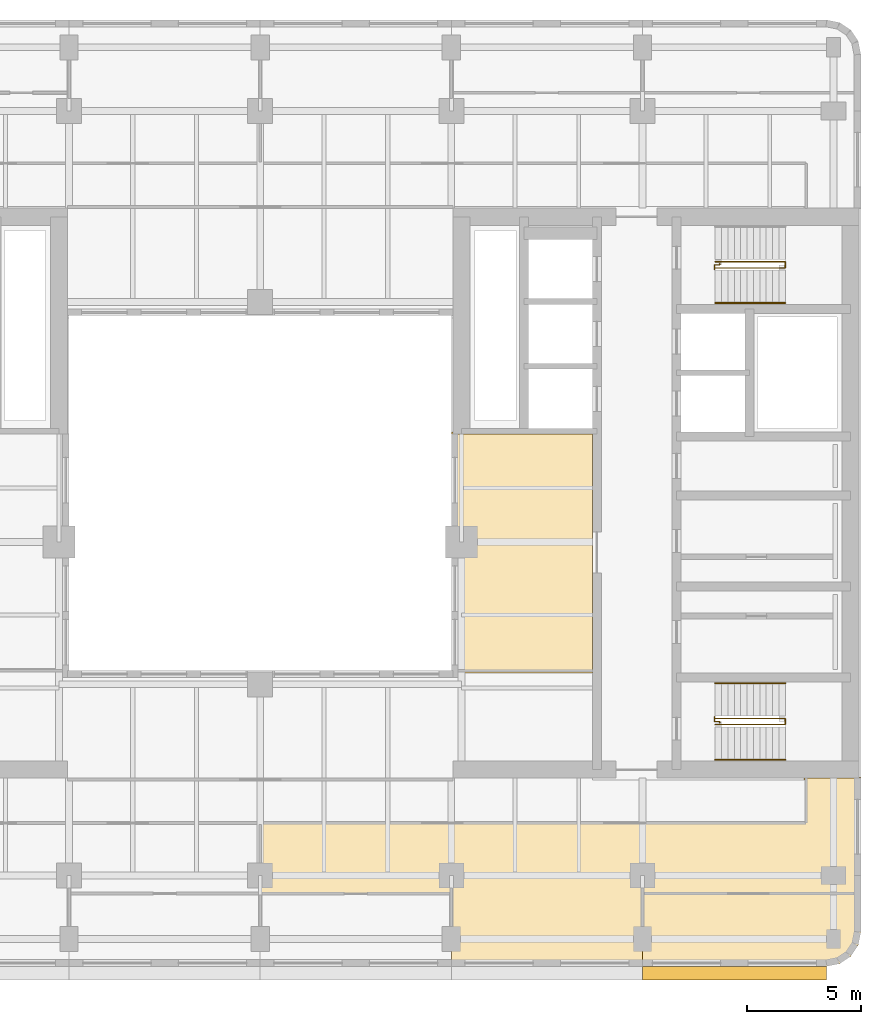
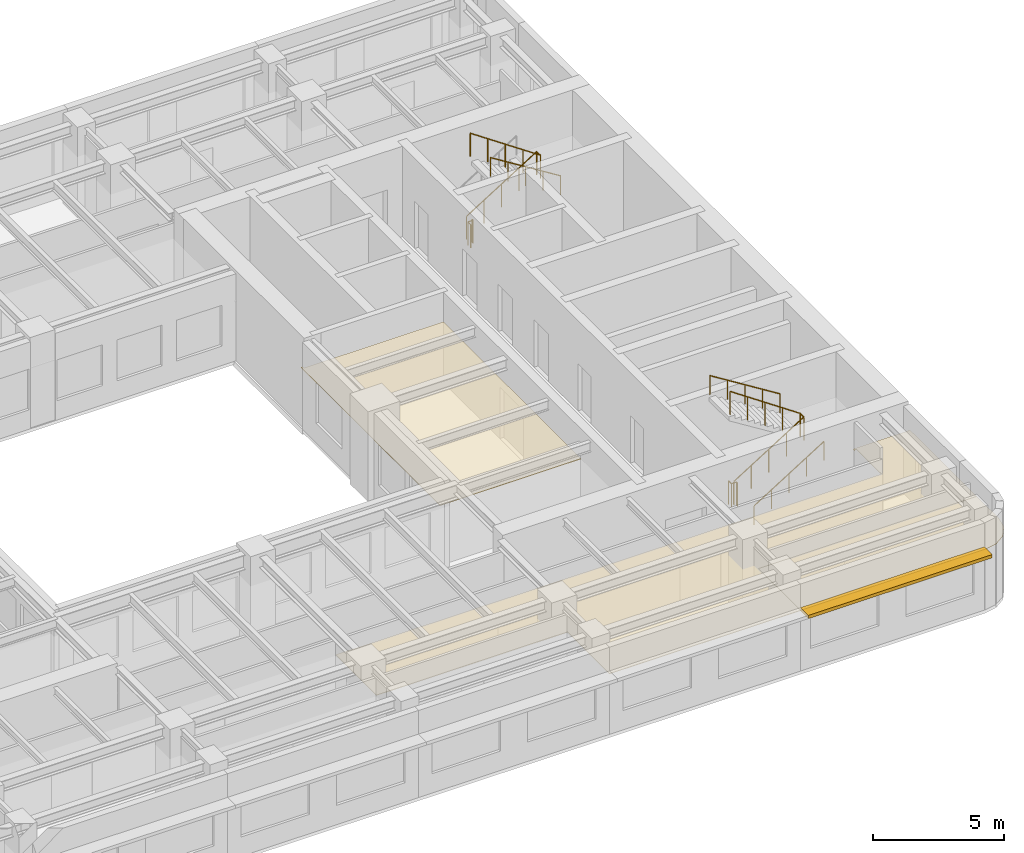
# One storey, part 10 of 11: 7 railings, 3 coverings, 1 shading device.
"""IFC4 building model written with IfcOpenShell, lengths in metres."""

from ifc_helpers import new_model, si_unit, direction, frame, origin, origin_2d, place, context, subcontext, project, spatial, polyline, rectangle, circle, outline, extrude, material, layer, layer_set, type_object, element, save


model = new_model("IFC4")

# Units and contexts
model_context = context("Model", 3, precision=1e-05, world=origin(), true_north=direction((0.0, 1.0)))
body_context = subcontext(model_context, "Body", "Model", "MODEL_VIEW")
ifc_project = project(units=[si_unit("LENGTHUNIT", "METRE"), si_unit("AREAUNIT", "SQUARE_METRE"), si_unit("VOLUMEUNIT", "CUBIC_METRE"), si_unit("PLANEANGLEUNIT", "RADIAN"), si_unit("MASSUNIT", "GRAM", prefix="KILO")], contexts=[model_context])

# Site, building, storey
site_placement = place(None, origin())
site = spatial("IfcSite", under=ifc_project, at=site_placement, CompositionType="ELEMENT")
building_placement = place(site_placement, origin())
building = spatial("IfcBuilding", under=site, at=building_placement, Name="Claustro Exchange Tower", CompositionType="ELEMENT")
storey_placement = place(building_placement, frame((0.0, 0.0, 194.39990234375)))
storey = spatial("IfcBuildingStorey", under=building, at=storey_placement, Name="L44", CompositionType="ELEMENT", Elevation=194.39990234375)

# Coverings
ifc_material_1 = material(Name="Gypsum board ceiling", Category="gypsum board")
ifc_layer_1 = layer(ifc_material_1, 0.02490234375)
ifc_layer_set_1 = layer_set([ifc_layer_1], Name="Gypsum board ceiling")
covering_type = type_object("IfcCoveringType", Name="CL2 plasterboard ceiling", PredefinedType="CEILING", material=ifc_layer_set_1)
covering_1_placement = place(storey_placement, frame((0.0, 0.0, 2.800048828125)))
element("IfcCovering", 1, at=covering_1_placement, inside=storey, type_object=covering_type, Name="Ceiling CL2 L44-04", PredefinedType="CEILING", context=body_context, shape_type="SweptSolid", body=[
    extrude(outline(polyline([(51.60009765625, 5.89990234375), (51.60009765625, 7.60009765625), (42.0, 7.60009765625), (42.0, 4.39990234375), (50.10009765625, 4.39990234375), (50.674072265625, 4.51416015625), (51.16064453125, 4.83935546875), (51.48583984375, 5.325927734375), (51.60009765625, 5.89990234375)])), origin(), (0.0, 0.0, 1.0), 0.025146484375),
])
covering_2_placement = place(storey_placement, frame((0.0, 0.0, 2.800048828125)))
element("IfcCovering", 2, at=covering_2_placement, inside=storey, type_object=covering_type, Name="Ceiling CL2 L44-06", PredefinedType="CEILING", context=body_context, shape_type="SweptSolid", body=[
    extrude(outline(polyline([(51.60009765625, 7.60009765625), (51.60009765625, 12.695068359375), (51.52490234375, 12.695068359375), (51.52490234375, 12.675048828125), (49.10498046875, 12.675048828125), (49.10498046875, 12.60009765625), (49.199951171875, 12.60009765625), (49.199951171875, 10.699951171875), (25.199951171875, 10.699951171875), (25.199951171875, 7.60009765625), (33.60009765625, 7.60009765625), (33.60009765625, 4.39990234375), (42.0, 4.39990234375), (42.0, 7.60009765625), (51.60009765625, 7.60009765625)])), origin(), (0.0, 0.0, 1.0), 0.025146484375),
])
covering_3_placement = place(storey_placement, frame((0.0, 0.0, 2.800048828125)))
element("IfcCovering", 3, at=covering_3_placement, inside=storey, type_object=covering_type, Name="Ceiling CL2 L44-11", PredefinedType="CEILING", context=body_context, shape_type="SweptSolid", body=[
    extrude(outline(polyline([(33.60009765625, 27.89501953125), (33.60009765625, 17.304931640625), (39.800048828125, 17.304931640625), (39.800048828125, 27.800048828125), (33.675048828125, 27.800048828125), (33.675048828125, 27.89501953125), (33.60009765625, 27.89501953125)])), origin(), (0.0, 0.0, 1.0), 0.025146484375),
])

# Railings
ifc_material_2 = material(Name="Steel balustrade, painted", Category="steel")
railing_type_1 = type_object("IfcRailingType", Name="GR2 1100 steel stair guard", PredefinedType="GUARDRAIL", material=ifc_material_2)
railing_1_placement = place(storey_placement, frame((45.199951171875, 15.02490234375, 0.175048828125)))
element("IfcRailing", 4, at=railing_1_placement, inside=storey, type_object=railing_type_1, Name="Stair well guard GR2 stair STEA L44", PredefinedType="GUARDRAIL", context=body_context, shape_type="SweptSolid", body=[
    extrude(circle(Radius=0.02392578125, at=origin_2d()), frame((0.0, 0.0, 1.076171875), z_axis=(0.847998304005, 0.0, 0.529998940003), x_axis=(0.0, 1.0, 0.0)), (0.0, 0.0, 1.0), 3.632080078125),
    extrude(circle(Radius=0.02392578125, at=origin_2d()), frame((3.080078125, 0.0, 3.0009765625), z_axis=(0.0, 1.0, 0.0), x_axis=(-1.0, 0.0, 0.0)), (0.0, 0.0, 1.0), 0.275146484375),
    extrude(circle(Radius=0.02392578125, at=origin_2d()), frame((3.080078125, 0.275146484375, 3.0009765625), z_axis=(-0.826221800596, 0.0, 0.563344953133), x_axis=(0.0, -1.0, 0.0)), (0.0, 0.0, 1.0), 3.72802734375),
    extrude(circle(Radius=0.02099609375, at=origin_2d()), origin(), (0.0, 0.0, 1.0), 1.052001953125),
    extrude(circle(Radius=0.02099609375, at=origin_2d()), frame((0.77001953125, 0.0, 0.481201171875)), (0.0, 0.0, 1.0), 1.052001953125),
    extrude(circle(Radius=0.02099609375, at=origin_2d()), frame((1.5400390625, 0.0, 0.96240234375)), (0.0, 0.0, 1.0), 1.052001953125),
    extrude(circle(Radius=0.02099609375, at=origin_2d()), frame((2.31005859375, 0.0, 1.44384765625)), (0.0, 0.0, 1.0), 1.052001953125),
    extrude(circle(Radius=0.02099609375, at=origin_2d()), frame((3.080078125, 0.0, 1.925048828125)), (0.0, 0.0, 1.0), 1.052001953125),
    extrude(circle(Radius=0.02099609375, at=origin_2d()), frame((3.080078125, 0.275146484375, 1.925048828125)), (0.0, 0.0, 1.0), 1.052001953125),
    extrude(circle(Radius=0.02099609375, at=origin_2d()), frame((2.31005859375, 0.275146484375, 2.4501953125)), (0.0, 0.0, 1.0), 1.052001953125),
    extrude(circle(Radius=0.02099609375, at=origin_2d()), frame((1.5400390625, 0.275146484375, 2.97509765625)), (0.0, 0.0, 1.0), 1.052001953125),
    extrude(circle(Radius=0.02099609375, at=origin_2d()), frame((0.77001953125, 0.275146484375, 3.5)), (0.0, 0.0, 1.0), 1.052001953125),
    extrude(circle(Radius=0.02099609375, at=origin_2d()), frame((0.0, 0.275146484375, 4.025146484375)), (0.0, 0.0, 1.0), 1.052001953125),
])
railing_2_placement = place(storey_placement, frame((45.39990234375, 15.094970703125, 0.0)))
element("IfcRailing", 5, at=railing_2_placement, inside=storey, type_object=railing_type_1, Name="Stair guard GR2 STEA L44", PredefinedType="GUARDRAIL", context=body_context, shape_type="SweptSolid", body=[
    extrude(circle(Radius=0.02392578125, at=origin_2d()), frame((0.0, 0.0, 1.076171875), z_axis=(0.0, 1.0, 0.0), x_axis=(-1.0, 0.0, 0.0)), (0.0, 0.0, 1.0), 0.067626953125),
    extrude(circle(Radius=0.02392578125, at=origin_2d()), frame((0.0, 0.067626953125, 1.076171875), z_axis=(-1.0, 0.0, 0.0), x_axis=(0.0, -1.0, 0.0)), (0.0, 0.0, 1.0), 0.224853515625),
    extrude(circle(Radius=0.02392578125, at=origin_2d()), frame((-0.224853515625, 0.067626953125, 1.076171875), z_axis=(0.0, 1.0, 0.0), x_axis=(-1.0, 0.0, 0.0)), (0.0, 0.0, 1.0), 0.21728515625),
    extrude(circle(Radius=0.02099609375, at=origin_2d()), origin(), (0.0, 0.0, 1.0), 1.052001953125),
    extrude(circle(Radius=0.02099609375, at=origin_2d()), frame((0.0, 0.067626953125, 0.0)), (0.0, 0.0, 1.0), 1.052001953125),
    extrude(circle(Radius=0.02099609375, at=origin_2d()), frame((-0.224853515625, 0.067626953125, 0.0)), (0.0, 0.0, 1.0), 1.052001953125),
    extrude(circle(Radius=0.02099609375, at=origin_2d()), frame((-0.224853515625, 0.284912109375, 0.0)), (0.0, 0.0, 1.0), 1.052001953125),
])
railing_3_placement = place(storey_placement, frame((45.199951171875, 35.375, 0.175048828125)))
element("IfcRailing", 6, at=railing_3_placement, inside=storey, type_object=railing_type_1, Name="Stair well guard GR2 stair STEB L44", PredefinedType="GUARDRAIL", context=body_context, shape_type="SweptSolid", body=[
    extrude(circle(Radius=0.02392578125, at=origin_2d()), frame((0.0, 0.0, 1.076171875), z_axis=(0.847998304005, 0.0, 0.529998940003), x_axis=(0.0, 1.0, 0.0)), (0.0, 0.0, 1.0), 3.632080078125),
    extrude(circle(Radius=0.02392578125, at=origin_2d()), frame((3.080078125, 0.0, 3.0009765625), z_axis=(0.0, -1.0, 0.0), x_axis=(1.0, 0.0, 0.0)), (0.0, 0.0, 1.0), 0.27490234375),
    extrude(circle(Radius=0.02392578125, at=origin_2d()), frame((3.080078125, -0.27490234375, 3.0009765625), z_axis=(-0.826221800596, 0.0, 0.563344953133), x_axis=(0.0, -1.0, 0.0)), (0.0, 0.0, 1.0), 3.72802734375),
    extrude(circle(Radius=0.02099609375, at=origin_2d()), origin(), (0.0, 0.0, 1.0), 1.052001953125),
    extrude(circle(Radius=0.02099609375, at=origin_2d()), frame((0.77001953125, 0.0, 0.481201171875)), (0.0, 0.0, 1.0), 1.052001953125),
    extrude(circle(Radius=0.02099609375, at=origin_2d()), frame((1.5400390625, 0.0, 0.96240234375)), (0.0, 0.0, 1.0), 1.052001953125),
    extrude(circle(Radius=0.02099609375, at=origin_2d()), frame((2.31005859375, 0.0, 1.44384765625)), (0.0, 0.0, 1.0), 1.052001953125),
    extrude(circle(Radius=0.02099609375, at=origin_2d()), frame((3.080078125, 0.0, 1.925048828125)), (0.0, 0.0, 1.0), 1.052001953125),
    extrude(circle(Radius=0.02099609375, at=origin_2d()), frame((3.080078125, -0.27490234375, 1.925048828125)), (0.0, 0.0, 1.0), 1.052001953125),
    extrude(circle(Radius=0.02099609375, at=origin_2d()), frame((2.31005859375, -0.27490234375, 2.4501953125)), (0.0, 0.0, 1.0), 1.052001953125),
    extrude(circle(Radius=0.02099609375, at=origin_2d()), frame((1.5400390625, -0.27490234375, 2.97509765625)), (0.0, 0.0, 1.0), 1.052001953125),
    extrude(circle(Radius=0.02099609375, at=origin_2d()), frame((0.77001953125, -0.27490234375, 3.5)), (0.0, 0.0, 1.0), 1.052001953125),
    extrude(circle(Radius=0.02099609375, at=origin_2d()), frame((0.0, -0.27490234375, 4.025146484375)), (0.0, 0.0, 1.0), 1.052001953125),
])
railing_4_placement = place(storey_placement, frame((45.39990234375, 35.304931640625, 0.0)))
element("IfcRailing", 7, at=railing_4_placement, inside=storey, type_object=railing_type_1, Name="Stair guard GR2 STEB L44", PredefinedType="GUARDRAIL", context=body_context, shape_type="SweptSolid", body=[
    extrude(circle(Radius=0.02392578125, at=origin_2d()), frame((0.0, 0.0, 1.076171875), z_axis=(0.0, -1.0, 0.0), x_axis=(1.0, 0.0, 0.0)), (0.0, 0.0, 1.0), 0.0673828125),
    extrude(circle(Radius=0.02392578125, at=origin_2d()), frame((0.0, -0.0673828125, 1.076171875), z_axis=(-1.0, 0.0, 0.0), x_axis=(0.0, -1.0, 0.0)), (0.0, 0.0, 1.0), 0.224853515625),
    extrude(circle(Radius=0.02392578125, at=origin_2d()), frame((-0.224853515625, -0.0673828125, 1.076171875), z_axis=(0.0, -1.0, 0.0), x_axis=(1.0, 0.0, 0.0)), (0.0, 0.0, 1.0), 0.217529296875),
    extrude(circle(Radius=0.02099609375, at=origin_2d()), origin(), (0.0, 0.0, 1.0), 1.052001953125),
    extrude(circle(Radius=0.02099609375, at=origin_2d()), frame((0.0, -0.0673828125, 0.0)), (0.0, 0.0, 1.0), 1.052001953125),
    extrude(circle(Radius=0.02099609375, at=origin_2d()), frame((-0.224853515625, -0.0673828125, 0.0)), (0.0, 0.0, 1.0), 1.052001953125),
    extrude(circle(Radius=0.02099609375, at=origin_2d()), frame((-0.224853515625, -0.284912109375, 0.0)), (0.0, 0.0, 1.0), 1.052001953125),
])
ifc_material_3 = material(Name="Stainless steel tube", Category="steel")
railing_type_2 = type_object("IfcRailingType", Name="HR1 900 stair handrail", PredefinedType="HANDRAIL", material=ifc_material_3)
railing_5_placement = place(storey_placement, frame((45.199951171875, 13.485107421875, 0.175048828125)))
element("IfcRailing", 8, at=railing_5_placement, inside=storey, type_object=railing_type_2, Name="Handrail HR1 stair STEA L44", PredefinedType="HANDRAIL", context=body_context, shape_type="SweptSolid", body=[
    extrude(circle(Radius=0.02392578125, at=origin_2d()), frame((0.0, 0.0, 0.8759765625), z_axis=(0.847998304005, 0.0, 0.529998940003), x_axis=(0.0, 1.0, 0.0)), (0.0, 0.0, 1.0), 3.632080078125),
    extrude(circle(Radius=0.02099609375, at=origin_2d()), origin(), (0.0, 0.0, 1.0), 0.851806640625),
    extrude(circle(Radius=0.02099609375, at=origin_2d()), frame((0.77001953125, 0.0, 0.481201171875)), (0.0, 0.0, 1.0), 0.851806640625),
    extrude(circle(Radius=0.02099609375, at=origin_2d()), frame((1.5400390625, 0.0, 0.96240234375)), (0.0, 0.0, 1.0), 0.851806640625),
    extrude(circle(Radius=0.02099609375, at=origin_2d()), frame((2.31005859375, 0.0, 1.44384765625)), (0.0, 0.0, 1.0), 0.851806640625),
    extrude(circle(Radius=0.02099609375, at=origin_2d()), frame((3.080078125, 0.0, 1.925048828125)), (0.0, 0.0, 1.0), 0.851806640625),
])
for number, where, name in (
    (9, (48.280029296875, 16.840087890625, 2.275146484375), "Handrail HR1 stair STEA L44"),
    (10, (48.280029296875, 33.56005859375, 2.275146484375), "Handrail HR1 stair STEB L44"),
):
    element("IfcRailing", number, at=place(storey_placement, frame(where)), inside=storey, type_object=railing_type_2, Name=name, PredefinedType="HANDRAIL", context=body_context, shape_type="SweptSolid", body=[
        extrude(circle(Radius=0.02392578125, at=origin_2d()), frame((0.0, 0.0, 0.8759765625), z_axis=(-0.847998304005, 0.0, 0.529998940003), x_axis=(0.0, -1.0, 0.0)), (0.0, 0.0, 1.0), 3.632080078125),
        extrude(circle(Radius=0.02099609375, at=origin_2d()), origin(), (0.0, 0.0, 1.0), 0.851806640625),
        extrude(circle(Radius=0.02099609375, at=origin_2d()), frame((-0.77001953125, 0.0, 0.481201171875)), (0.0, 0.0, 1.0), 0.851806640625),
        extrude(circle(Radius=0.02099609375, at=origin_2d()), frame((-1.5400390625, 0.0, 0.96240234375)), (0.0, 0.0, 1.0), 0.851806640625),
        extrude(circle(Radius=0.02099609375, at=origin_2d()), frame((-2.31005859375, 0.0, 1.44384765625)), (0.0, 0.0, 1.0), 0.851806640625),
        extrude(circle(Radius=0.02099609375, at=origin_2d()), frame((-3.080078125, 0.0, 1.925048828125)), (0.0, 0.0, 1.0), 0.851806640625),
    ])

# Shading device
ifc_material_4 = material(Name="Concrete HA-40 (C40/50), precast, white cement, acid-etched", Category="concrete")
ifc_layer_2 = layer(ifc_material_4, 0.14990234375)
ifc_layer_set_2 = layer_set([ifc_layer_2], Name="Concrete HA-40 (C40/50), precast, white cement, acid-etched")
shading_device_type = type_object("IfcShadingDeviceType", Name="SS1 600 precast concrete SUNSHADE", PredefinedType="SHUTTER", material=ifc_layer_set_2)
shading_device_placement = place(storey_placement, frame((46.04248046875, 4.10009765625, 2.800048828125), z_axis=(0.0, 0.0, 1.0), x_axis=(-1.0, 0.0, 0.0)))
element("IfcShadingDevice", 11, at=shading_device_placement, inside=storey, type_object=shading_device_type, Name="Precast SUNSHADE SS1 L44", PredefinedType="SHUTTER", context=body_context, shape_type="SweptSolid", body=[
    extrude(rectangle(XDim=8.085205078125, YDim=0.60009765625, at=origin_2d()), origin(), (0.0, 0.0, 1.0), 0.14990234375),
])

save(model, "model.ifc")
